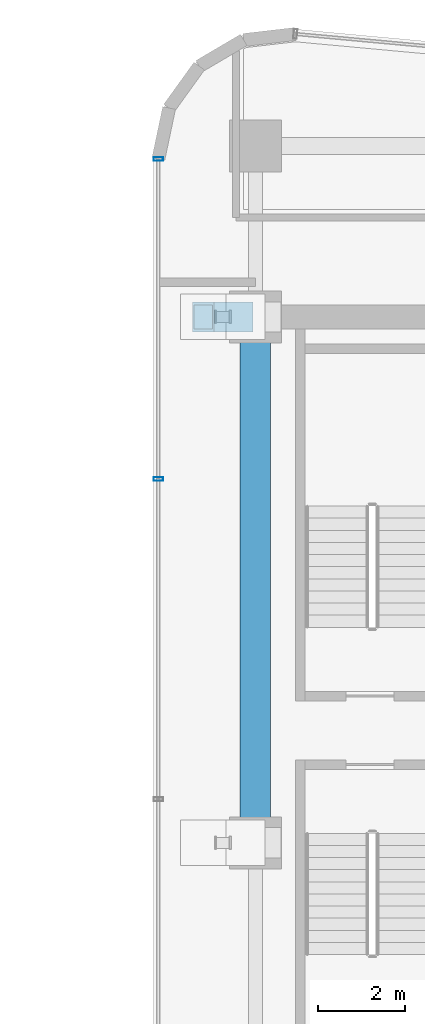
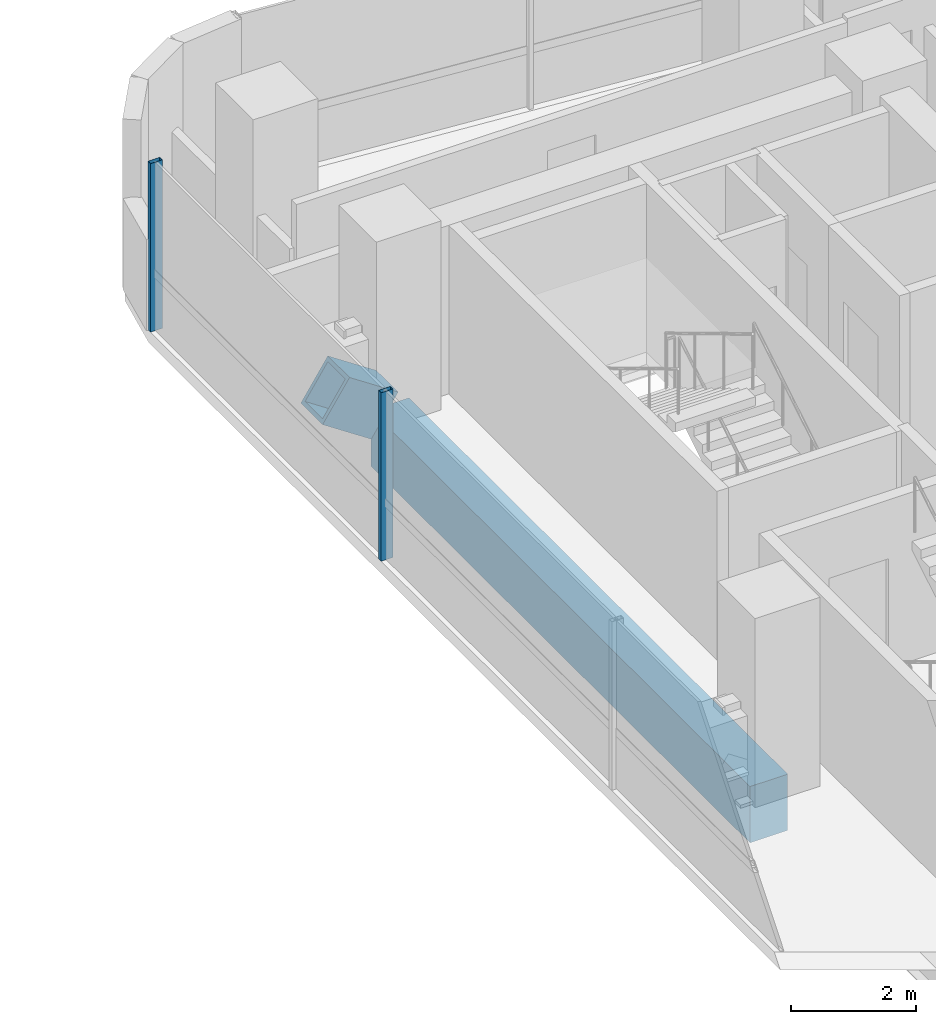
# One storey, part 16 of 35: 3 members, 1 beam, 1 element without a shape of its own.
"""IFC4 building model written with IfcOpenShell, lengths in metres."""

from ifc_helpers import new_model, si_unit, direction, frame, origin, origin_2d, place, context, subcontext, project, spatial, rectangle, hollow_rectangle, extrude, source, transform, mapped, material, material_profile, profile_set, type_object, element, aggregate, save


model = new_model("IFC4")

# Units and contexts
model_context = context("Model", 3, precision=1e-05, world=origin(), true_north=direction((0.0, 1.0)))
body_context = subcontext(model_context, "Body", "Model", "MODEL_VIEW")
ifc_project = project(units=[si_unit("LENGTHUNIT", "METRE"), si_unit("AREAUNIT", "SQUARE_METRE"), si_unit("VOLUMEUNIT", "CUBIC_METRE"), si_unit("PLANEANGLEUNIT", "RADIAN"), si_unit("MASSUNIT", "GRAM", prefix="KILO")], contexts=[model_context])

# Site, building, storey
site_placement = place(None, origin())
site = spatial("IfcSite", under=ifc_project, at=site_placement, CompositionType="ELEMENT")
building_placement = place(site_placement, origin())
building = spatial("IfcBuilding", under=site, at=building_placement, Name="Valdorenza Pilgrim Sanctuary Tower", CompositionType="ELEMENT")
storey_placement = place(building_placement, frame((0.0, 0.0, 168.60009765625)))
storey = spatial("IfcBuildingStorey", under=building, at=storey_placement, Name="L43", CompositionType="ELEMENT", Elevation=168.60009765625)

# Beam
ifc_material_1 = material(Name="Concrete C50/60", Category="concrete")
ifc_material_profile_1 = material_profile(ifc_material_1, rectangle(XDim=0.699951171875, YDim=1.10009765625, at=origin_2d()), Name="RC 1100x700")
ifc_profile_set_1 = profile_set([ifc_material_profile_1], Name="Concrete C50/60")
beam_type = type_object("IfcBeamType", Name="STR-BM-LNT-1100", PredefinedType="LINTEL", material=ifc_profile_set_1)
shared_shape_1 = source(origin(), body_context, "Body", "SweptSolid", [
    extrude(rectangle(XDim=0.699951171875, YDim=1.10009765625, at=origin_2d()), origin(), (0.0, 0.0, 1.0), 12.150146484375),
])
beam_placement = place(storey_placement, frame((15.85009765625, -2.60009765625, -0.590087890625), z_axis=(0.0, 1.0, 0.0), x_axis=(-1.0, 0.0, 0.0)))
element("IfcBeam", 1, at=beam_placement, inside=storey, type_object=beam_type, Name="L43 Core B West Coupling Lintel Girder", PredefinedType="LINTEL", context=body_context, shape_type="MappedRepresentation", body=[
    mapped(shared_shape_1, transform((0.0, 0.0, 0.0), x_axis=(1.0, 0.0, 0.0), y_axis=(0.0, 1.0, 0.0), z_axis=(0.0, 0.0, 1.0), scale=1.0)),
])

# Member
ifc_material_2 = material(Name="Steel ASTM A572 Grade 42", Category="steel")
ifc_material_profile_2 = material_profile(ifc_material_2, hollow_rectangle(XDim=0.699951171875, YDim=0.89990234375, WallThickness=0.070068359375, at=origin_2d()), Name="BOX 900x700x70")
ifc_profile_set_2 = profile_set([ifc_material_profile_2], Name="Steel ASTM A572 Grade 42")
member_type_1 = type_object("IfcMemberType", Name="STR-MB-OUT-BOX900", PredefinedType="BRACE", material=ifc_profile_set_2)
shared_shape_2 = source(origin(), body_context, "Body", "SweptSolid", [
    extrude(hollow_rectangle(XDim=0.699951171875, YDim=0.89990234375, WallThickness=0.070068359375, at=origin_2d()), origin(), (0.0, 0.0, 1.0), 1.081787109375),
])
member_1_placement = place(storey_placement, frame((14.64990234375, 9.550048828125, 0.64990234375), z_axis=(0.832050294338, 0.0, -0.554700196225), x_axis=(0.0, 1.0, 0.0)))
element("IfcMember", 2, at=member_1_placement, inside=storey, type_object=member_type_1, Name="L43 Portal Bridge Corbel Knee-Brace Strut 1", PredefinedType="BRACE", context=body_context, shape_type="MappedRepresentation", body=[
    mapped(shared_shape_2, transform((0.0, 0.0, 0.0), x_axis=(1.0, 0.0, 0.0), y_axis=(0.0, 1.0, 0.0), z_axis=(0.0, 0.0, 1.0), scale=1.0)),
])

# Curtain wall, members
ifc_material_3 = material(Name="Curtain-wall IGU glazing", Category="glass")
curtain_wall_type = type_object("IfcCurtainWallType", Name="CW-SYS-03", PredefinedType="NOTDEFINED", material=ifc_material_3)
curtain_wall_placement = place(storey_placement, origin())
curtain_wall = element("IfcCurtainWall", 3, at=curtain_wall_placement, inside=storey, type_object=curtain_wall_type, Name="L43 Curtain Wall CW-L43-2-1", PredefinedType="NOTDEFINED")
ifc_material_4 = material(Name="Anodised aluminium AW-6060", Category="aluminium")
ifc_material_profile_3 = material_profile(ifc_material_4, hollow_rectangle(XDim=0.0849609375, YDim=0.219970703125, WallThickness=0.0048828125, at=origin_2d()), Name="ALU-M 220x85x5")
ifc_profile_set_3 = profile_set([ifc_material_profile_3], Name="Anodised aluminium AW-6060")
member_type_2 = type_object("IfcMemberType", Name="CW-MUL-03", PredefinedType="MULLION", material=ifc_profile_set_3)
shared_shape_3 = source(origin(), body_context, "Body", "SweptSolid", [
    extrude(hollow_rectangle(XDim=0.0849609375, YDim=0.219970703125, WallThickness=0.0048828125, at=origin_2d()), origin(), (0.0, 0.0, 1.0), 3.2998046875),
])
member_2_placement = place(storey_placement, frame((13.610107421875, 5.803466796875, 0.0), z_axis=(0.0, 0.0, 1.0), x_axis=(0.0, 1.0, 0.0)))
member_2 = element("IfcMember", 4, at=member_2_placement, type_object=member_type_2, Name="CW-L43-2-1 Mullion 3", PredefinedType="MULLION", context=body_context, shape_type="MappedRepresentation", body=[
    mapped(shared_shape_3, transform((0.0, 0.0, 0.0), x_axis=(1.0, 0.0, 0.0), y_axis=(0.0, 1.0, 0.0), z_axis=(0.0, 0.0, 1.0), scale=1.0)),
])
member_3_placement = place(storey_placement, frame((13.610107421875, 13.19970703125, 0.0), z_axis=(0.0, 0.0, 1.0), x_axis=(0.0, 1.0, 0.0)))
member_3 = element("IfcMember", 5, at=member_3_placement, type_object=member_type_2, Name="CW-L43-2-1 Mullion 4", PredefinedType="MULLION", context=body_context, shape_type="MappedRepresentation", body=[
    mapped(shared_shape_3, transform((0.0, 0.0, 0.0), x_axis=(1.0, 0.0, 0.0), y_axis=(0.0, 1.0, 0.0), z_axis=(0.0, 0.0, 1.0), scale=1.0)),
])
aggregate(curtain_wall, [member_2, member_3])

save(model, "model.ifc")
